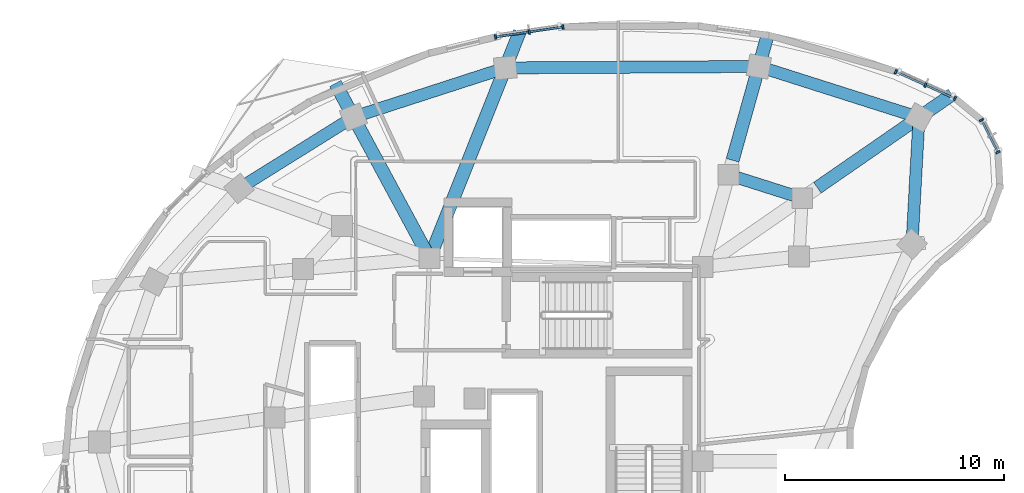
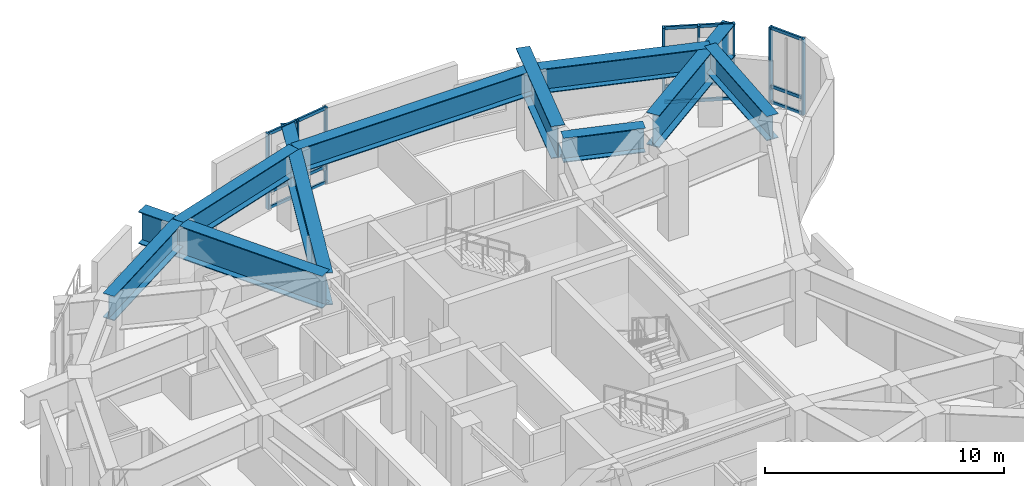
# One storey, part 5 of 13: 23 members, 10 beams, 3 elements without a shape of their own.
"""IFC4 building model written with IfcOpenShell, lengths in metres."""

from ifc_helpers import new_model, si_unit, direction, frame, origin, origin_2d, place, context, subcontext, project, spatial, rectangle, i_section, extrude, material, layer, layer_set, material_profile, profile_set, type_object, element, aggregate, save


model = new_model("IFC4")

# Units and contexts
model_context = context("Model", 3, precision=1e-05, world=origin(), true_north=direction((0.0, 1.0)))
body_context = subcontext(model_context, "Body", "Model", "MODEL_VIEW")
ifc_project = project(units=[si_unit("LENGTHUNIT", "METRE"), si_unit("AREAUNIT", "SQUARE_METRE"), si_unit("VOLUMEUNIT", "CUBIC_METRE"), si_unit("PLANEANGLEUNIT", "RADIAN"), si_unit("MASSUNIT", "GRAM", prefix="KILO")], contexts=[model_context])

# Site, building, storey
site_placement = place(None, origin())
site = spatial("IfcSite", under=ifc_project, at=site_placement, CompositionType="ELEMENT")
building_placement = place(site_placement, origin())
building = spatial("IfcBuilding", under=site, at=building_placement, Name="Korentha Bioscience Tower", CompositionType="ELEMENT")
storey_placement = place(building_placement, frame((0.0, 0.0, 208.800048828125)))
storey = spatial("IfcBuildingStorey", under=building, at=storey_placement, Name="L48", CompositionType="ELEMENT", Elevation=208.800048828125)

# Beams
ifc_material_1 = material(Name="Steel S355", Category="steel")
ifc_material_profile_1 = material_profile(ifc_material_1, i_section(OverallWidth=0.550048828125, OverallDepth=1.25, WebThickness=0.02392578125, FlangeThickness=0.0400390625, at=origin_2d()), Name="Steel S355")
ifc_profile_set_1 = profile_set([ifc_material_profile_1], Name="Steel S355 (TG-03)")
beam_type_1 = type_object("IfcBeamType", Name="Crown Step Transfer Girder CVS 1250x510", PredefinedType="USERDEFINED", material=ifc_profile_set_1)
beam_1_placement = place(storey_placement, frame((42.084228515625, 38.985595703125, 3.2548828125), z_axis=(-0.953017639844, 0.302914803446, 0.0), x_axis=(-0.302914803446, -0.953017639844, 0.0)))
element("IfcBeam", 1, at=beam_1_placement, inside=storey, type_object=beam_type_1, Name="L48 Mid-Ring Tie Girder 01", ObjectType="TRANSFER_GIRDER", PredefinedType="USERDEFINED", context=body_context, shape_type="SweptSolid", body=[
    extrude(i_section(OverallWidth=0.550048828125, OverallDepth=1.25, WebThickness=0.02392578125, FlangeThickness=0.0400390625, at=origin_2d()), origin(), (0.0, 0.0, 1.0), 3.523681640625),
])
beam_2_placement = place(storey_placement, frame((47.406982421875, 42.666259765625, 3.2548828125), z_axis=(-0.953001929023, 0.30296422772, 0.0), x_axis=(-0.30296422772, -0.953001929023, 0.0)))
element("IfcBeam", 2, at=beam_2_placement, inside=storey, type_object=beam_type_1, Name="L48 Perimeter Spandrel Girder 01", ObjectType="TRANSFER_GIRDER", PredefinedType="USERDEFINED", context=body_context, shape_type="SweptSolid", body=[
    extrude(i_section(OverallWidth=0.550048828125, OverallDepth=1.25, WebThickness=0.02392578125, FlangeThickness=0.0400390625, at=origin_2d()), origin(), (0.0, 0.0, 1.0), 7.660400390625),
])
beam_3_placement = place(storey_placement, frame((40.106689453125, 44.987060546875, 3.2548828125), z_axis=(-0.999984906184, -0.005494306452, 0.0), x_axis=(0.005494306452, -0.999984906184, 0.0)))
element("IfcBeam", 3, at=beam_3_placement, inside=storey, type_object=beam_type_1, Name="L48 Perimeter Spandrel Girder 02", ObjectType="TRANSFER_GIRDER", PredefinedType="USERDEFINED", context=body_context, shape_type="SweptSolid", body=[
    extrude(i_section(OverallWidth=0.550048828125, OverallDepth=1.25, WebThickness=0.02392578125, FlangeThickness=0.0400390625, at=origin_2d()), origin(), (0.0, 0.0, 1.0), 11.55322265625),
])
beam_4_placement = place(storey_placement, frame((28.5537109375, 44.923583984375, 3.2548828125), z_axis=(-0.951425150124, -0.307880145042, 0.0), x_axis=(0.307880145042, -0.951425150124, 0.0)))
element("IfcBeam", 4, at=beam_4_placement, inside=storey, type_object=beam_type_1, Name="L48 Perimeter Spandrel Girder 03", ObjectType="TRANSFER_GIRDER", PredefinedType="USERDEFINED", context=body_context, shape_type="SweptSolid", body=[
    extrude(i_section(OverallWidth=0.550048828125, OverallDepth=1.25, WebThickness=0.02392578125, FlangeThickness=0.0400390625, at=origin_2d()), origin(), (0.0, 0.0, 1.0), 7.275634765625),
])
beam_5_placement = place(storey_placement, frame((21.631591796875, 42.68359375, 3.2548828125), z_axis=(-0.848274790748, -0.52955630426, 0.0), x_axis=(0.52955630426, -0.848274790748, 0.0)))
element("IfcBeam", 5, at=beam_5_placement, inside=storey, type_object=beam_type_1, Name="L48 Perimeter Spandrel Girder 04", ObjectType="TRANSFER_GIRDER", PredefinedType="USERDEFINED", context=body_context, shape_type="SweptSolid", body=[
    extrude(i_section(OverallWidth=0.550048828125, OverallDepth=1.25, WebThickness=0.02392578125, FlangeThickness=0.0400390625, at=origin_2d()), origin(), (0.0, 0.0, 1.0), 6.148681640625),
])
beam_6_placement = place(storey_placement, frame((47.088134765625, 36.88916015625, 3.2548828125), z_axis=(0.055107780824, 0.998480411672, 0.0), x_axis=(-0.998480411672, 0.055107780824, 0.0)))
element("IfcBeam", 6, at=beam_6_placement, inside=storey, type_object=beam_type_1, Name="L48 Perimeter Spandrel Girder 16", ObjectType="TRANSFER_GIRDER", PredefinedType="USERDEFINED", context=body_context, shape_type="SweptSolid", body=[
    extrude(i_section(OverallWidth=0.550048828125, OverallDepth=1.25, WebThickness=0.02392578125, FlangeThickness=0.0400390625, at=origin_2d()), origin(), (0.0, 0.0, 1.0), 5.785888671875),
])
ifc_material_profile_2 = material_profile(ifc_material_1, i_section(OverallWidth=0.60009765625, OverallDepth=1.64990234375, WebThickness=0.02587890625, FlangeThickness=0.0439453125, at=origin_2d()), Name="Steel S355")
ifc_profile_set_2 = profile_set([ifc_material_profile_2], Name="Steel S355 (TG-04)")
beam_type_2 = type_object("IfcBeamType", Name="Deep Setback Transfer Girder CVS 1650x620", PredefinedType="USERDEFINED", material=ifc_profile_set_2)
beam_7_placement = place(storey_placement, frame((42.77685546875, 39.464599609375, 3.054931640625), z_axis=(0.822494853441, 0.568772552135, 0.0), x_axis=(-0.568772552135, 0.822494853441, 0.0)))
element("IfcBeam", 7, at=beam_7_placement, inside=storey, type_object=beam_type_2, Name="L48 Outer Radial Transfer Girder 01", ObjectType="TRANSFER_GIRDER", PredefinedType="USERDEFINED", context=body_context, shape_type="SweptSolid", body=[
    extrude(i_section(OverallWidth=0.60009765625, OverallDepth=1.64990234375, WebThickness=0.02587890625, FlangeThickness=0.0439453125, at=origin_2d()), origin(), (0.0, 0.0, 1.0), 7.460205078125),
])
beam_8_placement = place(storey_placement, frame((38.9111328125, 40.714111328125, 3.054931640625), z_axis=(0.269463441067, 0.963010619842, 0.0), x_axis=(-0.963010619842, 0.269463441067, 0.0)))
element("IfcBeam", 8, at=beam_8_placement, inside=storey, type_object=beam_type_2, Name="L48 Outer Radial Transfer Girder 02", ObjectType="TRANSFER_GIRDER", PredefinedType="USERDEFINED", context=body_context, shape_type="SweptSolid", body=[
    extrude(i_section(OverallWidth=0.60009765625, OverallDepth=1.64990234375, WebThickness=0.02587890625, FlangeThickness=0.0439453125, at=origin_2d()), origin(), (0.0, 0.0, 1.0), 5.928955078125),
])
beam_9_placement = place(storey_placement, frame((25.10009765625, 36.25, 3.054931640625), z_axis=(0.369938982304, 0.929056052869, 0.0), x_axis=(-0.929056052869, 0.369938982304, 0.0)))
element("IfcBeam", 9, at=beam_9_placement, inside=storey, type_object=beam_type_2, Name="L48 Radial Transfer Girder 03", ObjectType="TRANSFER_GIRDER", PredefinedType="USERDEFINED", context=body_context, shape_type="SweptSolid", body=[
    extrude(i_section(OverallWidth=0.60009765625, OverallDepth=1.64990234375, WebThickness=0.02587890625, FlangeThickness=0.0439453125, at=origin_2d()), origin(), (0.0, 0.0, 1.0), 11.10888671875),
])
beam_10_placement = place(storey_placement, frame((25.10009765625, 36.25, 3.054931640625), z_axis=(-0.47455638006, 0.88022510879, 0.0), x_axis=(-0.88022510879, -0.47455638006, 0.0)))
element("IfcBeam", 10, at=beam_10_placement, inside=storey, type_object=beam_type_2, Name="L48 Radial Transfer Girder 04", ObjectType="TRANSFER_GIRDER", PredefinedType="USERDEFINED", context=body_context, shape_type="SweptSolid", body=[
    extrude(i_section(OverallWidth=0.60009765625, OverallDepth=1.64990234375, WebThickness=0.02587890625, FlangeThickness=0.0439453125, at=origin_2d()), origin(), (0.0, 0.0, 1.0), 9.054931640625),
])

# Curtain wall, members
ifc_material_2 = material(Name="Thermally Broken Aluminium Frame", Category="aluminium")
ifc_layer = layer(ifc_material_2, 0.219970703125, Name="Thermally Broken Aluminium Frame")
ifc_layer_set = layer_set([ifc_layer], Name="Thermally Broken Aluminium Frame (CW-T2)")
curtain_wall_type = type_object("IfcCurtainWallType", Name="Solar-Screened Lab Unitised Curtain Wall CW-T2", PredefinedType="USERDEFINED", material=ifc_layer_set)
curtain_wall_1_placement = place(storey_placement, origin())
curtain_wall_1 = element("IfcCurtainWall", 11, at=curtain_wall_1_placement, inside=storey, type_object=curtain_wall_type, Name="L48 Curtain Wall 01", ObjectType="UNITISED", PredefinedType="USERDEFINED")
ifc_material_3 = material(Name="Anodised Aluminium 6063-T6", Category="aluminium")
ifc_material_profile_3 = material_profile(ifc_material_3, rectangle(XDim=0.090087890625, YDim=0.199951171875, at=origin_2d()), Name="Anodised Aluminium 6063-T6")
ifc_profile_set_3 = profile_set([ifc_material_profile_3], Name="Anodised Aluminium 6063-T6 (CW-MUL)")
member_type_1 = type_object("IfcMemberType", Name="Mullion RECT 90x200", PredefinedType="MULLION", material=ifc_profile_set_3)
member_1_placement = place(storey_placement, frame((49.044677734375, 43.52587890625, 0.0), z_axis=(0.0, 0.0, 1.0), x_axis=(-0.910520215031, 0.413464554733, 0.0)))
member_1 = element("IfcMember", 12, at=member_1_placement, type_object=member_type_1, Name="CW-L48-01 Mullion 1", PredefinedType="MULLION", context=body_context, shape_type="SweptSolid", body=[
    extrude(rectangle(XDim=0.090087890625, YDim=0.199951171875, at=origin_2d()), origin(), (0.0, 0.0, 1.0), 3.8798828125),
])
member_2_placement = place(storey_placement, frame((47.697021484375, 44.137939453125, 0.0), z_axis=(0.0, 0.0, 1.0), x_axis=(-0.910520215031, 0.413464554733, 0.0)))
member_2 = element("IfcMember", 13, at=member_2_placement, type_object=member_type_1, Name="CW-L48-01 Mullion 2", PredefinedType="MULLION", context=body_context, shape_type="SweptSolid", body=[
    extrude(rectangle(XDim=0.090087890625, YDim=0.199951171875, at=origin_2d()), origin(), (0.0, 0.0, 1.0), 3.8798828125),
])
member_3_placement = place(storey_placement, frame((46.34912109375, 44.75, 0.0), z_axis=(0.0, 0.0, 1.0), x_axis=(-0.910520215031, 0.413464554733, 0.0)))
member_3 = element("IfcMember", 14, at=member_3_placement, type_object=member_type_1, Name="CW-L48-01 Mullion 3", PredefinedType="MULLION", context=body_context, shape_type="SweptSolid", body=[
    extrude(rectangle(XDim=0.090087890625, YDim=0.199951171875, at=origin_2d()), origin(), (0.0, 0.0, 1.0), 3.8798828125),
])

curtain_wall_2_placement = place(storey_placement, origin())
curtain_wall_2 = element("IfcCurtainWall", 15, at=curtain_wall_2_placement, inside=storey, type_object=curtain_wall_type, Name="L48 Curtain Wall 07", ObjectType="UNITISED", PredefinedType="USERDEFINED")
member_4_placement = place(storey_placement, frame((31.18017578125, 46.78369140625, 0.0), z_axis=(0.0, 0.0, 1.0), x_axis=(-0.989449480287, -0.144878314317, 0.0)))
member_4 = element("IfcMember", 16, at=member_4_placement, type_object=member_type_1, Name="CW-L48-07 Mullion 1", PredefinedType="MULLION", context=body_context, shape_type="SweptSolid", body=[
    extrude(rectangle(XDim=0.090087890625, YDim=0.199951171875, at=origin_2d()), origin(), (0.0, 0.0, 1.0), 3.8798828125),
])
member_5_placement = place(storey_placement, frame((29.642333984375, 46.55859375, 0.0), z_axis=(0.0, 0.0, 1.0), x_axis=(-0.989449480287, -0.144878314317, 0.0)))
member_5 = element("IfcMember", 17, at=member_5_placement, type_object=member_type_1, Name="CW-L48-07 Mullion 2", PredefinedType="MULLION", context=body_context, shape_type="SweptSolid", body=[
    extrude(rectangle(XDim=0.090087890625, YDim=0.199951171875, at=origin_2d()), origin(), (0.0, 0.0, 1.0), 3.8798828125),
])
member_6_placement = place(storey_placement, frame((28.1044921875, 46.333251953125, 0.0), z_axis=(0.0, 0.0, 1.0), x_axis=(-0.989449480287, -0.144878314317, 0.0)))
member_6 = element("IfcMember", 18, at=member_6_placement, type_object=member_type_1, Name="CW-L48-07 Mullion 3", PredefinedType="MULLION", context=body_context, shape_type="SweptSolid", body=[
    extrude(rectangle(XDim=0.090087890625, YDim=0.199951171875, at=origin_2d()), origin(), (0.0, 0.0, 1.0), 3.8798828125),
])

curtain_wall_3_placement = place(storey_placement, origin())
curtain_wall_3 = element("IfcCurtainWall", 19, at=curtain_wall_3_placement, inside=storey, type_object=curtain_wall_type, Name="L48 Curtain Wall 61", ObjectType="UNITISED", PredefinedType="USERDEFINED")
member_7_placement = place(storey_placement, frame((51.003662109375, 41.07861328125, 0.0), z_axis=(0.0, 0.0, 1.0), x_axis=(-0.454115695623, 0.89094272262, 0.0)))
member_7 = element("IfcMember", 20, at=member_7_placement, type_object=member_type_1, Name="CW-L48-61 Mullion 1", PredefinedType="MULLION", context=body_context, shape_type="SweptSolid", body=[
    extrude(rectangle(XDim=0.090087890625, YDim=0.199951171875, at=origin_2d()), origin(), (0.0, 0.0, 1.0), 3.8798828125),
])
member_8_placement = place(storey_placement, frame((50.25634765625, 42.54443359375, 0.0), z_axis=(0.0, 0.0, 1.0), x_axis=(-0.454115695623, 0.89094272262, 0.0)))
member_8 = element("IfcMember", 21, at=member_8_placement, type_object=member_type_1, Name="CW-L48-61 Mullion 2", PredefinedType="MULLION", context=body_context, shape_type="SweptSolid", body=[
    extrude(rectangle(XDim=0.090087890625, YDim=0.199951171875, at=origin_2d()), origin(), (0.0, 0.0, 1.0), 3.8798828125),
])

# Member
ifc_material_profile_4 = material_profile(ifc_material_3, rectangle(XDim=0.090087890625, YDim=0.159912109375, at=origin_2d()), Name="Anodised Aluminium 6063-T6")
ifc_profile_set_4 = profile_set([ifc_material_profile_4], Name="Anodised Aluminium 6063-T6 (CW-TRN)")
member_type_2 = type_object("IfcMemberType", Name="Transom RECT 90x160", PredefinedType="USERDEFINED", material=ifc_profile_set_4)
member_9_placement = place(storey_placement, frame((49.00390625, 43.544677734375, 0.044921875), z_axis=(-0.910582827317, 0.413326643946, 0.0), x_axis=(-0.413326643946, -0.910582827317, 0.0)))
member_9 = element("IfcMember", 22, at=member_9_placement, type_object=member_type_2, Name="CW-L48-01 Bay 1 Transom 1", ObjectType="TRANSOM", PredefinedType="USERDEFINED", context=body_context, shape_type="SweptSolid", body=[
    extrude(rectangle(XDim=0.090087890625, YDim=0.159912109375, at=origin_2d()), origin(), (0.0, 0.0, 1.0), 1.390380859375),
])

member_10_placement = place(storey_placement, frame((49.00390625, 43.544677734375, 0.849853515625), z_axis=(-0.910582827317, 0.413326643946, 0.0), x_axis=(-0.413326643946, -0.910582827317, 0.0)))
member_10 = element("IfcMember", 23, at=member_10_placement, type_object=member_type_2, Name="CW-L48-01 Bay 1 Transom 2", ObjectType="TRANSOM", PredefinedType="USERDEFINED", context=body_context, shape_type="SweptSolid", body=[
    extrude(rectangle(XDim=0.090087890625, YDim=0.159912109375, at=origin_2d()), origin(), (0.0, 0.0, 1.0), 1.390380859375),
])

member_11_placement = place(storey_placement, frame((49.00390625, 43.544677734375, 3.8349609375), z_axis=(-0.910582827317, 0.413326643946, 0.0), x_axis=(-0.413326643946, -0.910582827317, 0.0)))
member_11 = element("IfcMember", 24, at=member_11_placement, type_object=member_type_2, Name="CW-L48-01 Bay 1 Transom 3", ObjectType="TRANSOM", PredefinedType="USERDEFINED", context=body_context, shape_type="SweptSolid", body=[
    extrude(rectangle(XDim=0.090087890625, YDim=0.159912109375, at=origin_2d()), origin(), (0.0, 0.0, 1.0), 1.390380859375),
])

member_12_placement = place(storey_placement, frame((47.656005859375, 44.15673828125, 0.044921875), z_axis=(-0.910582827317, 0.413326643946, 0.0), x_axis=(-0.413326643946, -0.910582827317, 0.0)))
member_12 = element("IfcMember", 25, at=member_12_placement, type_object=member_type_2, Name="CW-L48-01 Bay 2 Transom 1", ObjectType="TRANSOM", PredefinedType="USERDEFINED", context=body_context, shape_type="SweptSolid", body=[
    extrude(rectangle(XDim=0.090087890625, YDim=0.159912109375, at=origin_2d()), origin(), (0.0, 0.0, 1.0), 1.390380859375),
])

member_13_placement = place(storey_placement, frame((47.656005859375, 44.15673828125, 0.849853515625), z_axis=(-0.910582827317, 0.413326643946, 0.0), x_axis=(-0.413326643946, -0.910582827317, 0.0)))
member_13 = element("IfcMember", 26, at=member_13_placement, type_object=member_type_2, Name="CW-L48-01 Bay 2 Transom 2", ObjectType="TRANSOM", PredefinedType="USERDEFINED", context=body_context, shape_type="SweptSolid", body=[
    extrude(rectangle(XDim=0.090087890625, YDim=0.159912109375, at=origin_2d()), origin(), (0.0, 0.0, 1.0), 1.390380859375),
])

member_14_placement = place(storey_placement, frame((47.656005859375, 44.15673828125, 3.8349609375), z_axis=(-0.910582827317, 0.413326643946, 0.0), x_axis=(-0.413326643946, -0.910582827317, 0.0)))
member_14 = element("IfcMember", 27, at=member_14_placement, type_object=member_type_2, Name="CW-L48-01 Bay 2 Transom 3", ObjectType="TRANSOM", PredefinedType="USERDEFINED", context=body_context, shape_type="SweptSolid", body=[
    extrude(rectangle(XDim=0.090087890625, YDim=0.159912109375, at=origin_2d()), origin(), (0.0, 0.0, 1.0), 1.390380859375),
])

aggregate(curtain_wall_1, [member_1, member_2, member_3, member_9, member_10, member_11, member_12, member_13, member_14])

member_15_placement = place(storey_placement, frame((31.135498046875, 46.777099609375, 0.044921875), z_axis=(-0.989446492274, -0.144898719546, 0.0), x_axis=(0.144898719546, -0.989446492274, 0.0)))
member_15 = element("IfcMember", 28, at=member_15_placement, type_object=member_type_2, Name="CW-L48-07 Bay 1 Transom 1", ObjectType="TRANSOM", PredefinedType="USERDEFINED", context=body_context, shape_type="SweptSolid", body=[
    extrude(rectangle(XDim=0.090087890625, YDim=0.159912109375, at=origin_2d()), origin(), (0.0, 0.0, 1.0), 1.464111328125),
])

member_16_placement = place(storey_placement, frame((31.135498046875, 46.777099609375, 0.849853515625), z_axis=(-0.989446492274, -0.144898719546, 0.0), x_axis=(0.144898719546, -0.989446492274, 0.0)))
member_16 = element("IfcMember", 29, at=member_16_placement, type_object=member_type_2, Name="CW-L48-07 Bay 1 Transom 2", ObjectType="TRANSOM", PredefinedType="USERDEFINED", context=body_context, shape_type="SweptSolid", body=[
    extrude(rectangle(XDim=0.090087890625, YDim=0.159912109375, at=origin_2d()), origin(), (0.0, 0.0, 1.0), 1.464111328125),
])

member_17_placement = place(storey_placement, frame((31.135498046875, 46.777099609375, 3.8349609375), z_axis=(-0.989446492274, -0.144898719546, 0.0), x_axis=(0.144898719546, -0.989446492274, 0.0)))
member_17 = element("IfcMember", 30, at=member_17_placement, type_object=member_type_2, Name="CW-L48-07 Bay 1 Transom 3", ObjectType="TRANSOM", PredefinedType="USERDEFINED", context=body_context, shape_type="SweptSolid", body=[
    extrude(rectangle(XDim=0.090087890625, YDim=0.159912109375, at=origin_2d()), origin(), (0.0, 0.0, 1.0), 1.464111328125),
])

member_18_placement = place(storey_placement, frame((29.597900390625, 46.552001953125, 0.044921875), z_axis=(-0.989449992261, -0.144874817738, 0.0), x_axis=(0.144874817738, -0.989449992261, 0.0)))
member_18 = element("IfcMember", 31, at=member_18_placement, type_object=member_type_2, Name="CW-L48-07 Bay 2 Transom 1", ObjectType="TRANSOM", PredefinedType="USERDEFINED", context=body_context, shape_type="SweptSolid", body=[
    extrude(rectangle(XDim=0.090087890625, YDim=0.159912109375, at=origin_2d()), origin(), (0.0, 0.0, 1.0), 1.46435546875),
])

member_19_placement = place(storey_placement, frame((29.597900390625, 46.552001953125, 0.849853515625), z_axis=(-0.989449992261, -0.144874817738, 0.0), x_axis=(0.144874817738, -0.989449992261, 0.0)))
member_19 = element("IfcMember", 32, at=member_19_placement, type_object=member_type_2, Name="CW-L48-07 Bay 2 Transom 2", ObjectType="TRANSOM", PredefinedType="USERDEFINED", context=body_context, shape_type="SweptSolid", body=[
    extrude(rectangle(XDim=0.090087890625, YDim=0.159912109375, at=origin_2d()), origin(), (0.0, 0.0, 1.0), 1.46435546875),
])

member_20_placement = place(storey_placement, frame((29.597900390625, 46.552001953125, 3.8349609375), z_axis=(-0.989449992261, -0.144874817738, 0.0), x_axis=(0.144874817738, -0.989449992261, 0.0)))
member_20 = element("IfcMember", 33, at=member_20_placement, type_object=member_type_2, Name="CW-L48-07 Bay 2 Transom 3", ObjectType="TRANSOM", PredefinedType="USERDEFINED", context=body_context, shape_type="SweptSolid", body=[
    extrude(rectangle(XDim=0.090087890625, YDim=0.159912109375, at=origin_2d()), origin(), (0.0, 0.0, 1.0), 1.46435546875),
])

aggregate(curtain_wall_2, [member_4, member_5, member_6, member_15, member_16, member_17, member_18, member_19, member_20])

member_21_placement = place(storey_placement, frame((50.983154296875, 41.11865234375, 0.044921875), z_axis=(-0.454106830318, 0.890947241232, 0.0), x_axis=(-0.890947241232, -0.454106830318, 0.0)))
member_21 = element("IfcMember", 34, at=member_21_placement, type_object=member_type_2, Name="CW-L48-61 Bay 1 Transom 1", ObjectType="TRANSOM", PredefinedType="USERDEFINED", context=body_context, shape_type="SweptSolid", body=[
    extrude(rectangle(XDim=0.090087890625, YDim=0.159912109375, at=origin_2d()), origin(), (0.0, 0.0, 1.0), 1.555419921875),
])

member_22_placement = place(storey_placement, frame((50.983154296875, 41.11865234375, 0.849853515625), z_axis=(-0.454106830318, 0.890947241232, 0.0), x_axis=(-0.890947241232, -0.454106830318, 0.0)))
member_22 = element("IfcMember", 35, at=member_22_placement, type_object=member_type_2, Name="CW-L48-61 Bay 1 Transom 2", ObjectType="TRANSOM", PredefinedType="USERDEFINED", context=body_context, shape_type="SweptSolid", body=[
    extrude(rectangle(XDim=0.090087890625, YDim=0.159912109375, at=origin_2d()), origin(), (0.0, 0.0, 1.0), 1.555419921875),
])

member_23_placement = place(storey_placement, frame((50.983154296875, 41.11865234375, 3.8349609375), z_axis=(-0.454106830318, 0.890947241232, 0.0), x_axis=(-0.890947241232, -0.454106830318, 0.0)))
member_23 = element("IfcMember", 36, at=member_23_placement, type_object=member_type_2, Name="CW-L48-61 Bay 1 Transom 3", ObjectType="TRANSOM", PredefinedType="USERDEFINED", context=body_context, shape_type="SweptSolid", body=[
    extrude(rectangle(XDim=0.090087890625, YDim=0.159912109375, at=origin_2d()), origin(), (0.0, 0.0, 1.0), 1.555419921875),
])

aggregate(curtain_wall_3, [member_7, member_8, member_21, member_22, member_23])

save(model, "model.ifc")
